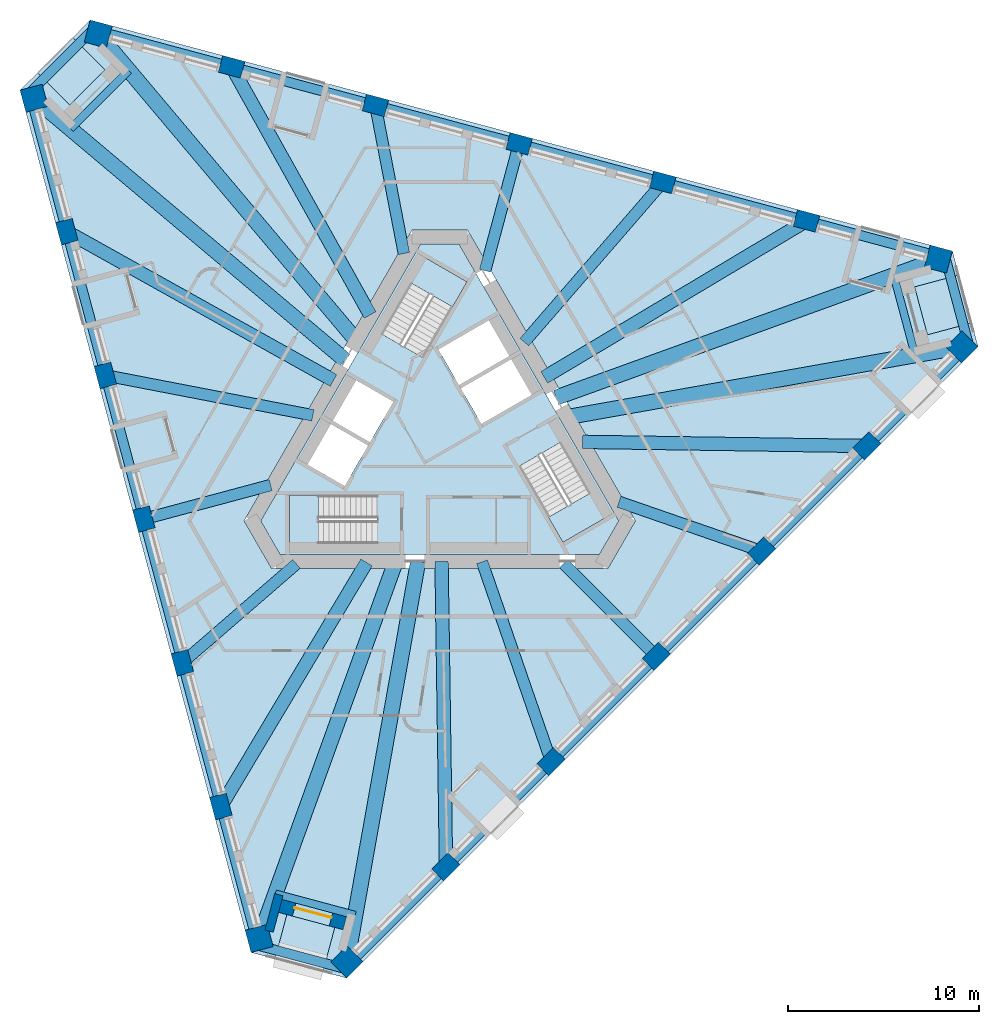
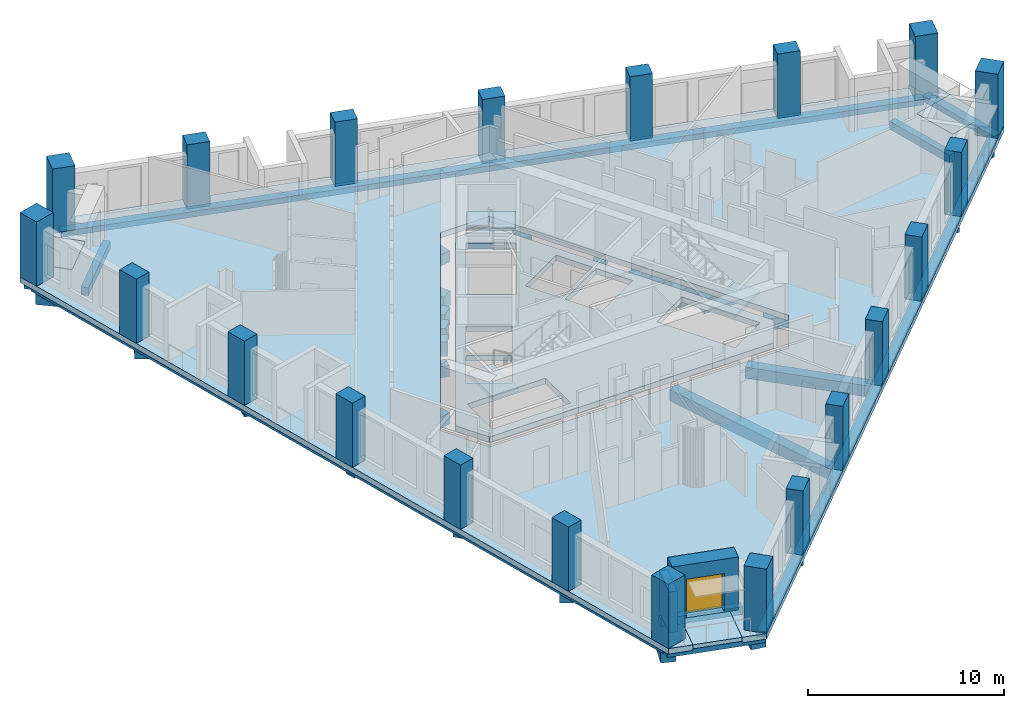
# One storey, part 1 of 13: 30 beams, 21 columns, 8 slabs, 2 walls, 1 door, 1 opening, 3 elements without a shape of their own.
"""IFC4 building model written with IfcOpenShell, lengths in metres."""

from ifc_helpers import new_model, si_unit, direction, frame, frame_2d, origin, origin_2d, place, context, subcontext, project, spatial, polyline, rectangle, outline, extrude, material, layer, layer_set, material_profile, profile_set, type_object, element, fill, aggregate, save


model = new_model("IFC4")

# Units and contexts
model_context = context("Model", 3, precision=1e-05, world=origin(), true_north=direction((0.0, 1.0)))
body_context = subcontext(model_context, "Body", "Model", "MODEL_VIEW")
ifc_project = project(units=[si_unit("LENGTHUNIT", "METRE"), si_unit("AREAUNIT", "SQUARE_METRE"), si_unit("VOLUMEUNIT", "CUBIC_METRE"), si_unit("PLANEANGLEUNIT", "RADIAN"), si_unit("MASSUNIT", "GRAM", prefix="KILO")], contexts=[model_context])

# Site, building, storey
site_placement = place(None, origin())
site = spatial("IfcSite", under=ifc_project, at=site_placement, CompositionType="ELEMENT")
building_placement = place(site_placement, origin())
building = spatial("IfcBuilding", under=site, at=building_placement, Name="Tramontana Tower", CompositionType="ELEMENT")
storey_placement = place(building_placement, frame((0.0, 0.0, 216.0)))
storey = spatial("IfcBuildingStorey", under=building, at=storey_placement, Name="L50", CompositionType="ELEMENT", Elevation=216.0)

# Columns
ifc_material_1 = material(Name="Concrete 55 MPa", Category="concrete")
ifc_material_profile_1 = material_profile(ifc_material_1, rectangle(XDim=1.199951171875, YDim=1.199951171875, at=origin_2d()), Name="Mega column 1200X1200 55 MPa")
ifc_profile_set_1 = profile_set([ifc_material_profile_1], Name="Concrete 55 MPa")
column_type_1 = type_object("IfcColumnType", Name="Mega column 1200X1200 55 MPa", PredefinedType="COLUMN", material=ifc_profile_set_1)
for number, where, z_axis, x_axis, name in (
    (1, (-21.2548828125, 17.89111328125, 0.0), (0.0, 0.0, 1.0), (0.258819045103, -0.965925826289, 0.0), "Mega column C5K1 L50"),
    (2, (-9.461669921875, -26.12158203125, 0.0), (0.0, 0.0, 1.0), (0.258819045103, -0.965925826289, 0.0), "Mega column C5K2 L50"),
    (3, (-4.86669921875, -27.352783203125, 0.0), (0.0, 0.0, 1.0), (0.707106781187, 0.707106781187, 0.0), "Mega column C5K3 L50"),
    (4, (27.352783203125, 4.86669921875, 0.0), (0.0, 0.0, 1.0), (0.707106781187, 0.707106781187, 0.0), "Mega column C5K4 L50"),
    (5, (26.12158203125, 9.461669921875, 0.0), (0.0, 0.0, 1.0), (-0.965925826289, 0.258819045103, 0.0), "Mega column C5K5 L50"),
    (6, (-17.89111328125, 21.2548828125, 0.0), (0.0, 0.0, 1.0), (-0.965925826289, 0.258819045103, 0.0), "Mega column C5K6 L50"),
):
    element("IfcColumn", number, at=place(storey_placement, frame(where, z_axis=z_axis, x_axis=x_axis)), inside=storey, type_object=column_type_1, Name=name, PredefinedType="COLUMN", context=body_context, shape_type="SweptSolid", body=[
        extrude(rectangle(XDim=1.199951171875, YDim=1.199951171875, at=origin_2d()), origin(), (0.0, 0.0, 1.0), 4.0),
    ])
ifc_material_2 = material(Name="Concrete 55 MPa", Category="concrete")
ifc_material_profile_2 = material_profile(ifc_material_2, rectangle(XDim=1.199951171875, YDim=0.89990234375, at=origin_2d()), Name="Pier column 1200X900 55 MPa")
ifc_profile_set_2 = profile_set([ifc_material_profile_2], Name="Concrete 55 MPa")
column_type_2 = type_object("IfcColumnType", Name="Pier column 1200X900 55 MPa", PredefinedType="COLUMN", material=ifc_profile_set_2)
for number, where, z_axis, x_axis, name in (
    (7, (-19.53759765625, 10.9033203125, 0.0), (0.0, 0.0, 1.0), (0.258819045103, -0.965925826289, 0.0), "Pier column C5F01 L50"),
    (8, (-17.5205078125, 3.37451171875, 0.0), (0.0, 0.0, 1.0), (0.258819045103, -0.965925826289, 0.0), "Pier column C5F02 L50"),
    (9, (-15.503173828125, -4.154052734375, 0.0), (0.0, 0.0, 1.0), (0.258819045103, -0.965925826289, 0.0), "Pier column C5F03 L50"),
    (10, (-13.48583984375, -11.6826171875, 0.0), (0.0, 0.0, 1.0), (0.258819045103, -0.965925826289, 0.0), "Pier column C5F04 L50"),
    (11, (-11.468505859375, -19.21142578125, 0.0), (0.0, 0.0, 1.0), (0.258819045103, -0.965925826289, 0.0), "Pier column C5F05 L50"),
    (12, (0.326416015625, -22.371826171875, 0.0), (0.0, 0.0, 1.0), (0.707106781187, 0.707106781187, 0.0), "Pier column C5F06 L50"),
    (13, (5.837646484375, -16.8603515625, 0.0), (0.0, 0.0, 1.0), (0.707106781187, 0.707106781187, 0.0), "Pier column C5F07 L50"),
    (14, (11.34912109375, -11.34912109375, 0.0), (0.0, 0.0, 1.0), (0.707106781187, 0.707106781187, 0.0), "Pier column C5F08 L50"),
    (15, (16.8603515625, -5.837646484375, 0.0), (0.0, 0.0, 1.0), (0.707106781187, 0.707106781187, 0.0), "Pier column C5F09 L50"),
    (16, (22.371826171875, -0.326416015625, 0.0), (0.0, 0.0, 1.0), (0.707106781187, 0.707106781187, 0.0), "Pier column C5F10 L50"),
    (17, (19.21142578125, 11.468505859375, 0.0), (0.0, 0.0, 1.0), (-0.965925826289, 0.258819045103, 0.0), "Pier column C5F11 L50"),
    (18, (11.6826171875, 13.48583984375, 0.0), (0.0, 0.0, 1.0), (-0.965925826289, 0.258819045103, 0.0), "Pier column C5F12 L50"),
    (19, (4.154052734375, 15.503173828125, 0.0), (0.0, 0.0, 1.0), (-0.965925826289, 0.258819045103, 0.0), "Pier column C5F13 L50"),
    (20, (-3.37451171875, 17.5205078125, 0.0), (0.0, 0.0, 1.0), (-0.965925826289, 0.258819045103, 0.0), "Pier column C5F14 L50"),
    (21, (-10.9033203125, 19.53759765625, 0.0), (0.0, 0.0, 1.0), (-0.965925826289, 0.258819045103, 0.0), "Pier column C5F15 L50"),
):
    element("IfcColumn", number, at=place(storey_placement, frame(where, z_axis=z_axis, x_axis=x_axis)), inside=storey, type_object=column_type_2, Name=name, PredefinedType="COLUMN", context=body_context, shape_type="SweptSolid", body=[
        extrude(rectangle(XDim=1.199951171875, YDim=0.89990234375, at=origin_2d()), origin(), (0.0, 0.0, 1.0), 4.0),
    ])

# Beams
ifc_material_3 = material(Name="Concrete 40 MPa", Category="concrete")
ifc_material_profile_3 = material_profile(ifc_material_3, rectangle(XDim=0.5, YDim=0.35009765625, at=origin_2d()), Name="RC EDGE BEAM 500X350 40 MPa")
ifc_profile_set_3 = profile_set([ifc_material_profile_3], Name="Concrete 40 MPa")
beam_type_1 = type_object("IfcBeamType", Name="RC EDGE BEAM 500X350 40 MPa", PredefinedType="SPANDREL", material=ifc_profile_set_3)
beam_1_placement = place(storey_placement, frame((-21.399658203125, 17.852294921875, -0.52490234375), z_axis=(0.25882000186, -0.965925569926, 0.0), x_axis=(0.965925569926, 0.25882000186, 0.0)))
element("IfcBeam", 22, at=beam_1_placement, inside=storey, type_object=beam_type_1, Name="Spandrel beam S0 L50", PredefinedType="SPANDREL", context=body_context, shape_type="SweptSolid", body=[
    extrude(rectangle(XDim=0.5, YDim=0.35009765625, at=origin_2d()), origin(), (0.0, 0.0, 1.0), 45.565185546875),
])
beam_2_placement = place(storey_placement, frame((-4.7607421875, -27.458984375, -0.52490234375), z_axis=(0.707106781187, 0.707106781187, 0.0), x_axis=(-0.707106781187, 0.707106781187, 0.0)))
element("IfcBeam", 23, at=beam_2_placement, inside=storey, type_object=beam_type_1, Name="Spandrel beam S1 L50", PredefinedType="SPANDREL", context=body_context, shape_type="SweptSolid", body=[
    extrude(rectangle(XDim=0.5, YDim=0.35009765625, at=origin_2d()), origin(), (0.0, 0.0, 1.0), 45.565673828125),
])
beam_3_placement = place(storey_placement, frame((26.160400390625, 9.6064453125, -0.52490234375), z_axis=(-0.965925569926, 0.25882000186, 0.0), x_axis=(-0.25882000186, -0.965925569926, 0.0)))
element("IfcBeam", 24, at=beam_3_placement, inside=storey, type_object=beam_type_1, Name="Spandrel beam S2 L50", PredefinedType="SPANDREL", context=body_context, shape_type="SweptSolid", body=[
    extrude(rectangle(XDim=0.5, YDim=0.35009765625, at=origin_2d()), origin(), (0.0, 0.0, 1.0), 45.565185546875),
])
beam_4_placement = place(storey_placement, frame((-17.997314453125, 21.67138671875, -0.52490234375), z_axis=(-0.707106781187, -0.707106781187, 0.0), x_axis=(0.707106781187, -0.707106781187, 0.0)))
element("IfcBeam", 25, at=beam_4_placement, inside=storey, type_object=beam_type_1, Name="Spandrel beam K0 L50", PredefinedType="SPANDREL", context=body_context, shape_type="SweptSolid", body=[
    extrude(rectangle(XDim=0.5, YDim=0.35009765625, at=origin_2d()), origin(), (0.0, 0.0, 1.0), 5.19580078125),
])
for number, where, z_axis, x_axis, name in (
    (26, (-9.769287109375, -26.421875, -0.52490234375), (0.965931693355, -0.258797147923, 0.0), (0.258797147923, 0.965931693355, 0.0), "Spandrel beam K1 L50"),
    (27, (27.7666015625, 4.750244140625, -0.52490234375), (-0.258797147923, 0.965931693355, 0.0), (-0.965931693355, -0.258797147923, 0.0), "Spandrel beam K2 L50"),
):
    element("IfcBeam", number, at=place(storey_placement, frame(where, z_axis=z_axis, x_axis=x_axis)), inside=storey, type_object=beam_type_1, Name=name, PredefinedType="SPANDREL", context=body_context, shape_type="SweptSolid", body=[
        extrude(rectangle(XDim=0.5, YDim=0.35009765625, at=origin_2d()), origin(), (0.0, 0.0, 1.0), 5.196044921875),
    ])
ifc_material_4 = material(Name="Concrete 40 MPa", Category="concrete")
ifc_material_profile_4 = material_profile(ifc_material_4, rectangle(XDim=0.60009765625, YDim=0.699951171875, at=origin_2d()), Name="RC GIRDER 600X700 40 MPa")
ifc_profile_set_4 = profile_set([ifc_material_profile_4], Name="Concrete 40 MPa")
beam_type_2 = type_object("IfcBeamType", Name="RC GIRDER 600X700 40 MPa", PredefinedType="BEAM", material=ifc_profile_set_4)
beam_5_placement = place(storey_placement, frame((-17.5205078125, 3.37451171875, -0.699951171875), z_axis=(0.981952314937, -0.189128663056, 0.0), x_axis=(0.189128663056, 0.981952314937, 0.0)))
element("IfcBeam", 28, at=beam_5_placement, inside=storey, type_object=beam_type_2, Name="Radial girder C5F02 L50", PredefinedType="BEAM", context=body_context, shape_type="SweptSolid", body=[
    extrude(rectangle(XDim=0.60009765625, YDim=0.699951171875, at=origin_2d()), origin(), (0.0, 0.0, 1.0), 11.074462890625),
])
beam_6_placement = place(storey_placement, frame((-15.503173828125, -4.154052734375, -0.699951171875), z_axis=(0.96592381373, 0.258826555959, 0.0), x_axis=(-0.258826555959, 0.96592381373, 0.0)))
element("IfcBeam", 29, at=beam_6_placement, inside=storey, type_object=beam_type_2, Name="Radial girder C5F03 L50", PredefinedType="BEAM", context=body_context, shape_type="SweptSolid", body=[
    extrude(rectangle(XDim=0.60009765625, YDim=0.699951171875, at=origin_2d()), origin(), (0.0, 0.0, 1.0), 6.879150390625),
])
beam_7_placement = place(storey_placement, frame((-13.48583984375, -11.6826171875, -0.699951171875), z_axis=(0.755833701345, 0.654763633619, 0.0), x_axis=(-0.654763633619, 0.755833701345, 0.0)))
element("IfcBeam", 30, at=beam_7_placement, inside=storey, type_object=beam_type_2, Name="Radial girder C5F04 L50", PredefinedType="BEAM", context=body_context, shape_type="SweptSolid", body=[
    extrude(rectangle(XDim=0.60009765625, YDim=0.699951171875, at=origin_2d()), origin(), (0.0, 0.0, 1.0), 7.908447265625),
])
beam_8_placement = place(storey_placement, frame((5.837646484375, -16.8603515625, -0.699951171875), z_axis=(-0.327178709265, 0.944962481903, 0.0), x_axis=(-0.944962481903, -0.327178709265, 0.0)))
element("IfcBeam", 31, at=beam_8_placement, inside=storey, type_object=beam_type_2, Name="Radial girder C5F07 L50", PredefinedType="BEAM", context=body_context, shape_type="SweptSolid", body=[
    extrude(rectangle(XDim=0.60009765625, YDim=0.699951171875, at=origin_2d()), origin(), (0.0, 0.0, 1.0), 11.074462890625),
])
beam_9_placement = place(storey_placement, frame((11.34912109375, -11.34912109375, -0.699951171875), z_axis=(-0.707106781187, 0.707106781187, 0.0), x_axis=(-0.707106781187, -0.707106781187, 0.0)))
element("IfcBeam", 32, at=beam_9_placement, inside=storey, type_object=beam_type_2, Name="Radial girder C5F08 L50", PredefinedType="BEAM", context=body_context, shape_type="SweptSolid", body=[
    extrude(rectangle(XDim=0.60009765625, YDim=0.699951171875, at=origin_2d()), origin(), (0.0, 0.0, 1.0), 6.879150390625),
])
beam_10_placement = place(storey_placement, frame((16.8603515625, -5.837646484375, -0.699951171875), z_axis=(-0.944964783829, 0.327172060732, 0.0), x_axis=(-0.327172060732, -0.944964783829, 0.0)))
element("IfcBeam", 33, at=beam_10_placement, inside=storey, type_object=beam_type_2, Name="Radial girder C5F09 L50", PredefinedType="BEAM", context=body_context, shape_type="SweptSolid", body=[
    extrude(rectangle(XDim=0.60009765625, YDim=0.699951171875, at=origin_2d()), origin(), (0.0, 0.0, 1.0), 7.908447265625),
])
beam_11_placement = place(storey_placement, frame((11.6826171875, 13.48583984375, -0.699951171875), z_axis=(-0.654758463957, -0.755838179689, 0.0), x_axis=(0.755838179689, -0.654758463957, 0.0)))
element("IfcBeam", 34, at=beam_11_placement, inside=storey, type_object=beam_type_2, Name="Radial girder C5F12 L50", PredefinedType="BEAM", context=body_context, shape_type="SweptSolid", body=[
    extrude(rectangle(XDim=0.60009765625, YDim=0.699951171875, at=origin_2d()), origin(), (0.0, 0.0, 1.0), 11.07421875),
])
beam_12_placement = place(storey_placement, frame((4.154052734375, 15.503173828125, -0.699951171875), z_axis=(-0.258826555959, -0.96592381373, 0.0), x_axis=(0.96592381373, -0.258826555959, 0.0)))
element("IfcBeam", 35, at=beam_12_placement, inside=storey, type_object=beam_type_2, Name="Radial girder C5F13 L50", PredefinedType="BEAM", context=body_context, shape_type="SweptSolid", body=[
    extrude(rectangle(XDim=0.60009765625, YDim=0.699951171875, at=origin_2d()), origin(), (0.0, 0.0, 1.0), 6.879150390625),
])
beam_13_placement = place(storey_placement, frame((-3.37451171875, 17.5205078125, -0.699951171875), z_axis=(0.189111876718, -0.981955547917, 0.0), x_axis=(0.981955547917, 0.189111876718, 0.0)))
element("IfcBeam", 36, at=beam_13_placement, inside=storey, type_object=beam_type_2, Name="Radial girder C5F14 L50", PredefinedType="BEAM", context=body_context, shape_type="SweptSolid", body=[
    extrude(rectangle(XDim=0.60009765625, YDim=0.699951171875, at=origin_2d()), origin(), (0.0, 0.0, 1.0), 7.90869140625),
])
ifc_material_5 = material(Name="Concrete 40 MPa", Category="concrete")
ifc_material_profile_5 = material_profile(ifc_material_5, rectangle(XDim=0.699951171875, YDim=0.89990234375, at=origin_2d()), Name="RC GIRDER 700X900 40 MPa")
ifc_profile_set_5 = profile_set([ifc_material_profile_5], Name="Concrete 40 MPa")
beam_type_3 = type_object("IfcBeamType", Name="RC GIRDER 700X900 40 MPa", PredefinedType="BEAM", material=ifc_profile_set_5)
beam_14_placement = place(storey_placement, frame((-19.53759765625, 10.9033203125, -0.800048828125), z_axis=(0.873222771741, -0.487321239956, 0.0), x_axis=(0.487321239956, 0.873222771741, 0.0)))
element("IfcBeam", 37, at=beam_14_placement, inside=storey, type_object=beam_type_3, Name="Radial girder C5F01 L50", PredefinedType="BEAM", context=body_context, shape_type="SweptSolid", body=[
    extrude(rectangle(XDim=0.699951171875, YDim=0.89990234375, at=origin_2d()), origin(), (0.0, 0.0, 1.0), 15.99853515625),
])
beam_15_placement = place(storey_placement, frame((-11.468505859375, -19.211181640625, -0.800048828125), z_axis=(0.512577256937, 0.858641109935, 0.0), x_axis=(-0.858641109935, 0.512577256937, 0.0)))
element("IfcBeam", 38, at=beam_15_placement, inside=storey, type_object=beam_type_3, Name="Radial girder C5F05 L50", PredefinedType="BEAM", context=body_context, shape_type="SweptSolid", body=[
    extrude(rectangle(XDim=0.699951171875, YDim=0.89990234375, at=origin_2d()), origin(), (0.0, 0.0, 1.0), 14.8876953125),
])
beam_16_placement = place(storey_placement, frame((0.326416015625, -22.371826171875, -0.800048828125), z_axis=(-0.014588743818, 0.999893578614, 0.0), x_axis=(-0.999893578614, -0.014588743818, 0.0)))
element("IfcBeam", 39, at=beam_16_placement, inside=storey, type_object=beam_type_3, Name="Radial girder C5F06 L50", PredefinedType="BEAM", context=body_context, shape_type="SweptSolid", body=[
    extrude(rectangle(XDim=0.699951171875, YDim=0.89990234375, at=origin_2d()), origin(), (0.0, 0.0, 1.0), 15.99853515625),
])
beam_17_placement = place(storey_placement, frame((22.371826171875, -0.326416015625, -0.800048828125), z_axis=(-0.999893489786, 0.01459483068, 0.0), x_axis=(-0.01459483068, -0.999893489786, 0.0)))
element("IfcBeam", 40, at=beam_17_placement, inside=storey, type_object=beam_type_3, Name="Radial girder C5F10 L50", PredefinedType="BEAM", context=body_context, shape_type="SweptSolid", body=[
    extrude(rectangle(XDim=0.699951171875, YDim=0.89990234375, at=origin_2d()), origin(), (0.0, 0.0, 1.0), 14.8876953125),
])
beam_18_placement = place(storey_placement, frame((19.211181640625, 11.468505859375, -0.800048828125), z_axis=(-0.858639355408, -0.512580196012, 0.0), x_axis=(0.512580196012, -0.858639355408, 0.0)))
element("IfcBeam", 41, at=beam_18_placement, inside=storey, type_object=beam_type_3, Name="Radial girder C5F11 L50", PredefinedType="BEAM", context=body_context, shape_type="SweptSolid", body=[
    extrude(rectangle(XDim=0.699951171875, YDim=0.89990234375, at=origin_2d()), origin(), (0.0, 0.0, 1.0), 15.998291015625),
])
beam_19_placement = place(storey_placement, frame((-10.9033203125, 19.53759765625, -0.800048828125), z_axis=(0.487317016809, -0.873225128548, 0.0), x_axis=(0.873225128548, 0.487317016809, 0.0)))
element("IfcBeam", 42, at=beam_19_placement, inside=storey, type_object=beam_type_3, Name="Radial girder C5F15 L50", PredefinedType="BEAM", context=body_context, shape_type="SweptSolid", body=[
    extrude(rectangle(XDim=0.699951171875, YDim=0.89990234375, at=origin_2d()), origin(), (0.0, 0.0, 1.0), 14.887939453125),
])
ifc_material_6 = material(Name="Concrete 40 MPa", Category="concrete")
ifc_material_profile_6 = material_profile(ifc_material_6, rectangle(XDim=0.800048828125, YDim=1.10009765625, at=origin_2d()), Name="RC GIRDER 800X1100 40 MPa")
ifc_profile_set_6 = profile_set([ifc_material_profile_6], Name="Concrete 40 MPa")
beam_type_4 = type_object("IfcBeamType", Name="RC GIRDER 800X1100 40 MPa", PredefinedType="BEAM", material=ifc_profile_set_6)
beam_20_placement = place(storey_placement, frame((-21.2548828125, 17.89111328125, -0.89990234375), z_axis=(0.765048789766, -0.643972320273, 0.0), x_axis=(0.643972320273, 0.765048789766, 0.0)))
element("IfcBeam", 43, at=beam_20_placement, inside=storey, type_object=beam_type_4, Name="Radial girder C5K1 L50", PredefinedType="BEAM", context=body_context, shape_type="SweptSolid", body=[
    extrude(rectangle(XDim=0.800048828125, YDim=1.10009765625, at=origin_2d()), origin(), (0.0, 0.0, 1.0), 21.301513671875),
])
beam_21_placement = place(storey_placement, frame((-9.461669921875, -26.12158203125, -0.89990234375), z_axis=(0.340569160695, 0.94021946735, 0.0), x_axis=(-0.94021946735, 0.340569160695, 0.0)))
element("IfcBeam", 44, at=beam_21_placement, inside=storey, type_object=beam_type_4, Name="Radial girder C5K2 L50", PredefinedType="BEAM", context=body_context, shape_type="SweptSolid", body=[
    extrude(rectangle(XDim=0.800048828125, YDim=1.10009765625, at=origin_2d()), origin(), (0.0, 0.0, 1.0), 20.978271484375),
])
beam_22_placement = place(storey_placement, frame((-4.86669921875, -27.352783203125, -0.89990234375), z_axis=(0.175174555483, 0.984537391424, 0.0), x_axis=(-0.984537391424, 0.175174555483, 0.0)))
element("IfcBeam", 45, at=beam_22_placement, inside=storey, type_object=beam_type_4, Name="Radial girder C5K3 L50", PredefinedType="BEAM", context=body_context, shape_type="SweptSolid", body=[
    extrude(rectangle(XDim=0.800048828125, YDim=1.10009765625, at=origin_2d()), origin(), (0.0, 0.0, 1.0), 21.30126953125),
])
beam_23_placement = place(storey_placement, frame((27.352783203125, 4.86669921875, -0.89990234375), z_axis=(-0.984537718073, -0.175172719597, 0.0), x_axis=(0.175172719597, -0.984537718073, 0.0)))
element("IfcBeam", 46, at=beam_23_placement, inside=storey, type_object=beam_type_4, Name="Radial girder C5K4 L50", PredefinedType="BEAM", context=body_context, shape_type="SweptSolid", body=[
    extrude(rectangle(XDim=0.800048828125, YDim=1.10009765625, at=origin_2d()), origin(), (0.0, 0.0, 1.0), 20.978271484375),
])
beam_24_placement = place(storey_placement, frame((26.12158203125, 9.461669921875, -0.89990234375), z_axis=(-0.940223018737, -0.340559356113, 0.0), x_axis=(0.340559356113, -0.940223018737, 0.0)))
element("IfcBeam", 47, at=beam_24_placement, inside=storey, type_object=beam_type_4, Name="Radial girder C5K5 L50", PredefinedType="BEAM", context=body_context, shape_type="SweptSolid", body=[
    extrude(rectangle(XDim=0.800048828125, YDim=1.10009765625, at=origin_2d()), origin(), (0.0, 0.0, 1.0), 21.301513671875),
])
beam_25_placement = place(storey_placement, frame((-17.89111328125, 21.2548828125, -0.89990234375), z_axis=(0.643976971362, -0.765044874733, 0.0), x_axis=(0.765044874733, 0.643976971362, 0.0)))
element("IfcBeam", 48, at=beam_25_placement, inside=storey, type_object=beam_type_4, Name="Radial girder C5K6 L50", PredefinedType="BEAM", context=body_context, shape_type="SweptSolid", body=[
    extrude(rectangle(XDim=0.800048828125, YDim=1.10009765625, at=origin_2d()), origin(), (0.0, 0.0, 1.0), 20.978271484375),
])
ifc_material_7 = material(Name="Concrete 40 MPa", Category="concrete")
ifc_material_profile_7 = material_profile(ifc_material_7, rectangle(XDim=0.39990234375, YDim=0.5, at=origin_2d()), Name="RC TRIM BEAM 400X500 40 MPa")
ifc_profile_set_7 = profile_set([ifc_material_profile_7], Name="Concrete 40 MPa")
beam_type_5 = type_object("IfcBeamType", Name="RC TRIM BEAM 400X500 40 MPa", PredefinedType="JOIST", material=ifc_profile_set_7)
beam_26_placement = place(storey_placement, frame((-16.2880859375, 19.35009765625, -0.60009765625), z_axis=(-0.707106781187, -0.707106781187, 0.0), x_axis=(0.707106781187, -0.707106781187, 0.0)))
element("IfcBeam", 49, at=beam_26_placement, inside=storey, type_object=beam_type_5, Name="Trimmer beam K0 L50", PredefinedType="JOIST", context=body_context, shape_type="SweptSolid", body=[
    extrude(rectangle(XDim=0.39990234375, YDim=0.5, at=origin_2d()), origin(), (0.0, 0.0, 1.0), 4.330322265625),
])
for number, where, z_axis, x_axis, name in (
    (50, (-8.61376953125, -23.781005859375, -0.60009765625), (0.965926410656, -0.258816864207, 0.0), (0.258816864207, 0.965926410656, 0.0), "Trimmer beam K1 L50"),
    (51, (24.90185546875, 4.4306640625, -0.60009765625), (-0.258816864207, 0.965926410656, 0.0), (-0.965926410656, -0.258816864207, 0.0), "Trimmer beam K2 L50"),
):
    element("IfcBeam", number, at=place(storey_placement, frame(where, z_axis=z_axis, x_axis=x_axis)), inside=storey, type_object=beam_type_5, Name=name, PredefinedType="JOIST", context=body_context, shape_type="SweptSolid", body=[
        extrude(rectangle(XDim=0.39990234375, YDim=0.5, at=origin_2d()), origin(), (0.0, 0.0, 1.0), 4.33056640625),
    ])

# Slabs
ifc_material_8 = material(Name="Precast concrete 50 MPa", Category="concrete")
ifc_layer_1 = layer(ifc_material_8, 0.25)
ifc_layer_set_1 = layer_set([ifc_layer_1], Name="LT1 Loggia floor tray 250")
slab_type_1 = type_object("IfcSlabType", Name="LT1 Loggia floor tray 250", PredefinedType="FLOOR", material=ifc_layer_set_1)
slab_1_placement = place(storey_placement, frame((0.0, 0.0, -0.25)))
element("IfcSlab", 52, at=slab_1_placement, inside=storey, type_object=slab_type_1, Name="Corner loggia floor L50 K50", PredefinedType="FLOOR", context=body_context, shape_type="SweptSolid", body=[
    extrude(outline(polyline([(-19.2333984375, 21.07177734375), (-17.5361328125, 19.374755859375), (-19.374755859375, 17.5361328125), (-21.07177734375, 19.2333984375), (-19.2333984375, 21.07177734375)])), origin(), (0.0, 0.0, 1.0), 0.25),
])
slab_2_placement = place(storey_placement, frame((0.0, 0.0, -0.25)))
element("IfcSlab", 53, at=slab_2_placement, inside=storey, type_object=slab_type_1, Name="Corner loggia floor L50 K51", PredefinedType="FLOOR", context=body_context, shape_type="SweptSolid", body=[
    extrude(outline(polyline([(-8.632080078125, -27.1923828125), (-8.010986328125, -24.874267578125), (-5.49951171875, -25.547119140625), (-6.12060546875, -27.865234375), (-8.632080078125, -27.1923828125)])), origin(), (0.0, 0.0, 1.0), 0.25),
])
slab_3_placement = place(storey_placement, frame((0.0, 0.0, -0.25)))
element("IfcSlab", 54, at=slab_3_placement, inside=storey, type_object=slab_type_1, Name="Corner loggia floor L50 K52", PredefinedType="FLOOR", context=body_context, shape_type="SweptSolid", body=[
    extrude(outline(polyline([(27.865234375, 6.12060546875), (25.547119140625, 5.49951171875), (24.874267578125, 8.010986328125), (27.1923828125, 8.632080078125), (27.865234375, 6.12060546875)])), origin(), (0.0, 0.0, 1.0), 0.25),
])
ifc_material_9 = material(Name="Concrete 40 MPa", Category="concrete")
ifc_layer_2 = layer(ifc_material_9, 0.35009765625)
ifc_layer_set_2 = layer_set([ifc_layer_2], Name="PT FLAT SLAB 350 40 MPa")
slab_type_2 = type_object("IfcSlabType", Name="PT FLAT SLAB 350 40 MPa", PredefinedType="FLOOR", material=ifc_layer_set_2)
slab_4_placement = place(storey_placement, frame((0.0, 0.0, -0.35009765625)))
element("IfcSlab", 55, at=slab_4_placement, inside=storey, type_object=slab_type_2, Name="Floor slab L50", PredefinedType="FLOOR", context=body_context, shape_type="SweptSolid", body=[
    extrude(outline(polyline([(27.1923828125, 8.632080078125), (24.874267578125, 8.010986328125), (25.547119140625, 5.49951171875), (27.865478515625, 6.12060546875), (28.201416015625, 4.86669921875), (-4.86669921875, -28.201416015625), (-6.12060546875, -27.865478515625), (-5.49951171875, -25.547119140625), (-8.010986328125, -24.874267578125), (-8.632080078125, -27.1923828125), (-9.885986328125, -26.8564453125), (-21.98974609375, 18.3154296875), (-21.07177734375, 19.2333984375), (-19.374755859375, 17.5361328125), (-17.5361328125, 19.374755859375), (-19.2333984375, 21.07177734375), (-18.3154296875, 21.98974609375), (26.8564453125, 9.885986328125), (27.1923828125, 8.632080078125)]), holes=[polyline([(-10.248046875, -4.25), (-8.8046875, -6.75), (8.8046875, -6.75), (10.248046875, -4.25), (1.443359375, 11.0), (-1.443359375, 11.0), (-10.248046875, -4.25)])]), origin(), (0.0, 0.0, 1.0), 0.35009765625),
])
slab_5_placement = place(storey_placement, frame((0.0, 0.0, -0.35009765625)))
element("IfcSlab", 56, at=slab_5_placement, inside=storey, type_object=slab_type_2, Name="Core floor slab L50", PredefinedType="FLOOR", context=body_context, shape_type="SweptSolid", body=[
    extrude(outline(polyline([(9.3818359375, -4.25), (8.37158203125, -6.0), (-8.37158203125, -6.0), (-9.3818359375, -4.25), (-1.010498046875, 10.25), (1.010498046875, 10.25), (9.3818359375, -4.25)]), holes=[polyline([(8.659912109375, -4.099365234375), (6.35986328125, -0.115478515625), (4.151611328125, -1.390625), (6.451416015625, -5.374267578125), (8.659912109375, -4.099365234375)]), polyline([(3.829833984375, 4.2666015625), (1.101806640625, 2.69140625), (2.177001953125, 0.82958984375), (4.90478515625, 2.404541015625), (3.829833984375, 4.2666015625)]), polyline([(2.65478515625, 6.3017578125), (-0.072998046875, 4.726806640625), (1.001953125, 2.86474609375), (3.729736328125, 4.439697265625), (2.65478515625, 6.3017578125)]), polyline([(-0.77978515625, 9.54931640625), (-3.079833984375, 5.565673828125), (-0.87158203125, 4.29052734375), (1.428466796875, 8.2744140625), (-0.77978515625, 9.54931640625)]), polyline([(-5.689697265625, 1.044921875), (-3.65478515625, -0.130126953125), (-2.4296875, 1.99169921875), (-4.46484375, 3.166748046875), (-5.689697265625, 1.044921875)]), polyline([(-3.280029296875, -5.449951171875), (-3.280029296875, -2.89990234375), (-7.8798828125, -2.89990234375), (-7.8798828125, -5.449951171875), (-3.280029296875, -5.449951171875)]), polyline([(-7.014892578125, -1.25), (-4.979736328125, -2.425048828125), (-3.754638671875, -0.30322265625), (-5.789794921875, 0.87158203125), (-7.014892578125, -1.25)])]), origin(), (0.0, 0.0, 1.0), 0.35009765625),
])

# Stair, slab
ifc_material_10 = material(Name="Concrete 40 MPa", Category="concrete")
stair_type = type_object("IfcStairType", Name="EXIT STAIR 24 RISERS", PredefinedType="HALF_TURN_STAIR", material=ifc_material_10)
stair_1_placement = place(storey_placement, origin())
stair_1 = element("IfcStair", 57, at=stair_1_placement, inside=storey, type_object=stair_type, Name="L50 Exit stair ST1", PredefinedType="HALF_TURN_STAIR")
ifc_material_11 = material(Name="Concrete 40 MPa", Category="concrete")
ifc_layer_3 = layer(ifc_material_11, 0.199951171875)
ifc_layer_set_3 = layer_set([ifc_layer_3], Name="STAIR LANDING 200")
slab_type_3 = type_object("IfcSlabType", Name="STAIR LANDING 200", PredefinedType="LANDING", material=ifc_layer_set_3)
slab_6_placement = place(storey_placement, frame((0.0, 0.0, 1.800048828125)))
slab_6 = element("IfcSlab", 58, at=slab_6_placement, type_object=slab_type_3, Name="ST1 landing 1", PredefinedType="LANDING", context=body_context, shape_type="SweptSolid", body=[
    extrude(outline(polyline([(0.66845703125, 6.9580078125), (1.428466796875, 8.274169921875), (-0.77978515625, 9.54931640625), (-1.539794921875, 8.23291015625), (0.66845703125, 6.9580078125)])), origin(), (0.0, 0.0, 1.0), 0.199951171875),
])
aggregate(stair_1, [slab_6])

stair_2_placement = place(storey_placement, origin())
stair_2 = element("IfcStair", 59, at=stair_2_placement, inside=storey, type_object=stair_type, Name="L50 Exit stair ST2", PredefinedType="HALF_TURN_STAIR")
slab_7_placement = place(storey_placement, frame((0.0, 0.0, 1.800048828125)))
slab_7 = element("IfcSlab", 60, at=slab_7_placement, type_object=slab_type_3, Name="ST2 landing 1", PredefinedType="LANDING", context=body_context, shape_type="SweptSolid", body=[
    extrude(outline(polyline([(-6.360107421875, -2.89990234375), (-7.8798828125, -2.89990234375), (-7.8798828125, -5.449951171875), (-6.360107421875, -5.449951171875), (-6.360107421875, -2.89990234375)])), origin(), (0.0, 0.0, 1.0), 0.199951171875),
])
aggregate(stair_2, [slab_7])

stair_3_placement = place(storey_placement, origin())
stair_3 = element("IfcStair", 61, at=stair_3_placement, inside=storey, type_object=stair_type, Name="L50 Exit stair ST3", PredefinedType="HALF_TURN_STAIR")
slab_8_placement = place(storey_placement, frame((0.0, 0.0, 1.800048828125)))
slab_8 = element("IfcSlab", 62, at=slab_8_placement, type_object=slab_type_3, Name="ST3 landing 1", PredefinedType="LANDING", context=body_context, shape_type="SweptSolid", body=[
    extrude(outline(polyline([(5.69140625, -4.057861328125), (6.451416015625, -5.374267578125), (8.659912109375, -4.099365234375), (7.89990234375, -2.782958984375), (5.69140625, -4.057861328125)])), origin(), (0.0, 0.0, 1.0), 0.199951171875),
])
aggregate(stair_3, [slab_8])

# Wall
ifc_material_12 = material(Name="Precast concrete 60 MPa", Category="concrete")
ifc_layer_4 = layer(ifc_material_12, 0.449951171875)
ifc_layer_set_4 = layer_set([ifc_layer_4], Name="Precast concrete 60 MPa, 450 mm")
wall_type_1 = type_object("IfcWallType", Name="EW1 Stone-faced precast wall 450", PredefinedType="SOLIDWALL", material=ifc_layer_set_4)
wall_1_placement = place(storey_placement, frame((-8.942138671875, -25.741943359375, 0.0), z_axis=(0.0, 0.0, 1.0), x_axis=(0.258783354109, 0.965935388955, 0.0)))
element("IfcWall", 63, at=wall_1_placement, inside=storey, type_object=wall_type_1, Name="Corner loggia side wall L50 K51r", PredefinedType="SOLIDWALL", context=body_context, shape_type="SweptSolid", body=[
    extrude(rectangle(XDim=1.979248046875, YDim=0.449951171875, at=frame_2d((0.98974609375, 0.0))), origin(), (0.0, 0.0, 1.0), 2.550048828125),
])

# Wall, opening, door
ifc_material_13 = material(Name="Precast concrete 60 MPa", Category="concrete")
ifc_layer_5 = layer(ifc_material_13, 0.89990234375)
ifc_layer_set_5 = layer_set([ifc_layer_5], Name="EW2 Stone-faced corner loggia wall 900")
wall_type_2 = type_object("IfcWallType", Name="EW2 Stone-faced corner loggia wall 900", PredefinedType="SOLIDWALL", material=ifc_layer_set_5)
wall_2_placement = place(storey_placement, frame((-4.9482421875, -25.22900390625, 0.0), z_axis=(0.0, 0.0, 1.0), x_axis=(-0.965918160473, 0.258847652622, 0.0)))
wall_2 = element("IfcWall", 64, at=wall_2_placement, inside=storey, type_object=wall_type_2, Name="Corner loggia wall L50 K51", PredefinedType="SOLIDWALL", context=body_context, shape_type="SweptSolid", body=[
    extrude(rectangle(XDim=3.500244140625, YDim=0.89990234375, at=frame_2d((1.75, 0.0))), origin(), (0.0, 0.0, 1.0), 3.300048828125),
])
opening_placement = place(wall_2_placement, frame((0.75, 0.0, 0.0)))
opening = element("IfcOpeningElement", 65, at=opening_placement, cuts=wall_2, Name="Opening BD-51C", PredefinedType="OPENING", context=body_context, shape_type="SweptSolid", body=[
    extrude(rectangle(XDim=2.0, YDim=2.39990234375, at=frame_2d((1.0, 1.199951171875))), frame((0.0, 0.4599609375, 0.0), z_axis=(0.0, -1.0, 0.0), x_axis=(1.0, 0.0, 0.0)), (0.0, 0.0, 1.0), 0.919921875),
])
ifc_material_14 = material(Name="Aluminum frame, double glazing unit", Category="aluminium")
door_type = type_object("IfcDoorType", Name="BC1 Sliding door 2 x 2.4", OperationType="SLIDING_TO_LEFT", PredefinedType="DOOR", material=ifc_material_14)
door_placement = place(opening_placement, origin())
door = element("IfcDoor", 66, at=door_placement, inside=storey, type_object=door_type, Name="Corner loggia door L50 K51", OperationType="SLIDING_TO_LEFT", OverallHeight=2.39990234375, OverallWidth=2.0, PredefinedType="DOOR", context=body_context, shape_type="SweptSolid", body=[
    extrude(rectangle(XDim=2.0, YDim=2.39990234375, at=frame_2d((1.0, 1.199951171875))), frame((0.0, 0.02490234375, 0.0), z_axis=(0.0, -1.0, 0.0), x_axis=(1.0, 0.0, 0.0)), (0.0, 0.0, 1.0), 0.050048828125),
])
fill(opening, door)

save(model, "model.ifc")
